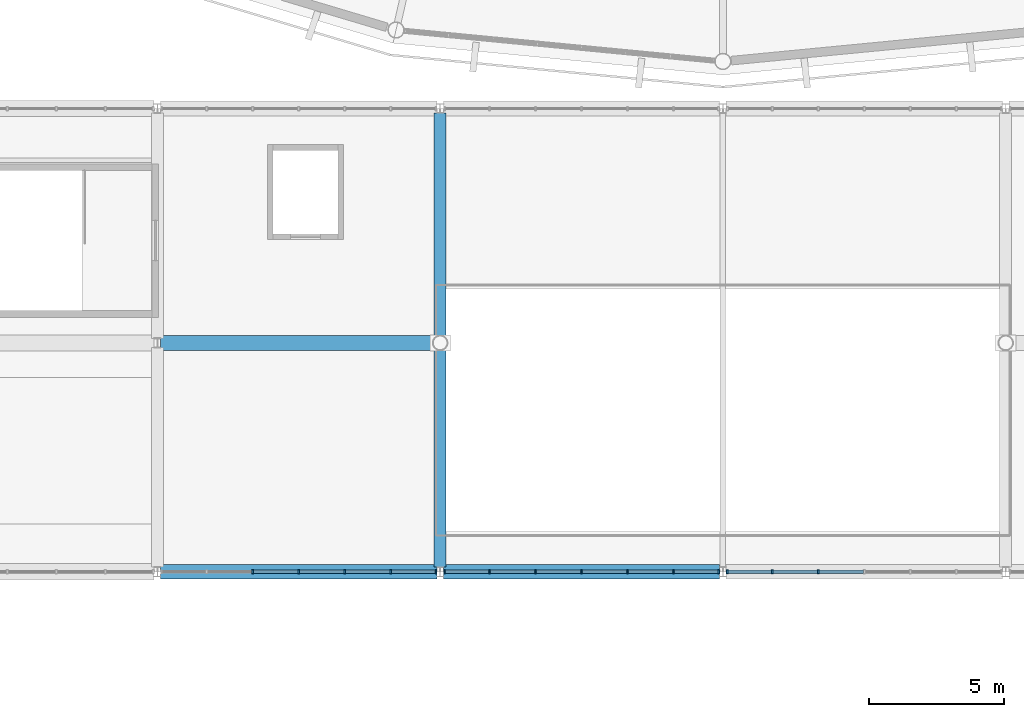
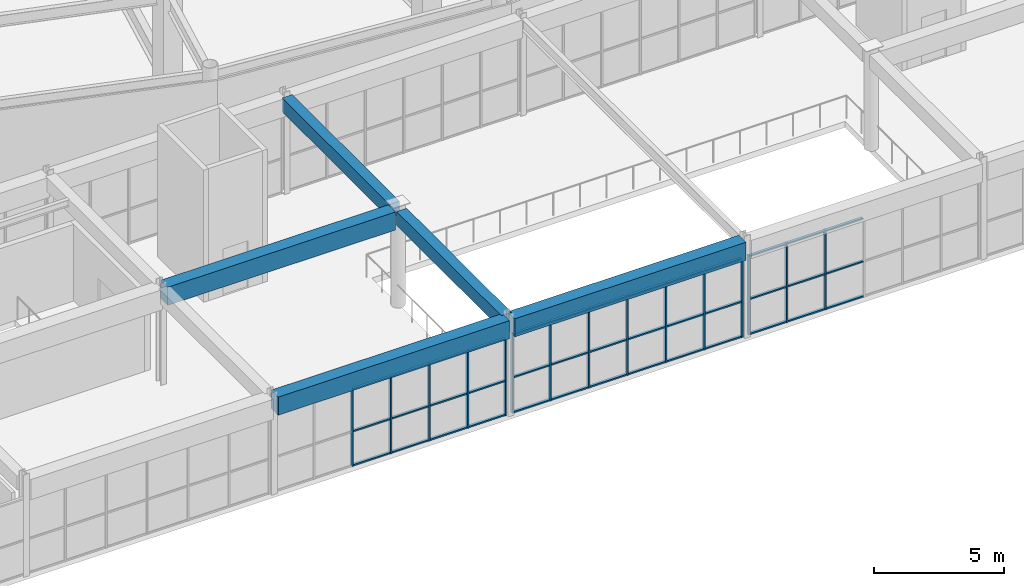
# One storey, part 30 of 122: 54 members, 5 beams, 3 elements without a shape of their own.
"""IFC4 building model written with IfcOpenShell, lengths in metres."""

from ifc_helpers import new_model, si_unit, direction, frame, origin, origin_2d, place, context, subcontext, project, spatial, rectangle, extrude, material, material_profile, profile_set, type_object, element, aggregate, save


model = new_model("IFC4")

# Units and contexts
model_context = context("Model", 3, precision=1e-05, world=origin(), true_north=direction((0.0, 1.0)))
body_context = subcontext(model_context, "Body", "Model", "MODEL_VIEW")
ifc_project = project(units=[si_unit("LENGTHUNIT", "METRE"), si_unit("AREAUNIT", "SQUARE_METRE"), si_unit("VOLUMEUNIT", "CUBIC_METRE"), si_unit("PLANEANGLEUNIT", "RADIAN"), si_unit("MASSUNIT", "GRAM", prefix="KILO")], contexts=[model_context])

# Site, building, storey
site_placement = place(None, origin())
site = spatial("IfcSite", under=ifc_project, at=site_placement, CompositionType="ELEMENT")
building_placement = place(site_placement, origin())
building = spatial("IfcBuilding", under=site, at=building_placement, Name="Cuetzalor Civic Arena", CompositionType="ELEMENT")
storey_placement = place(building_placement, frame((0.0, 0.0, 16.199951171875)))
storey = spatial("IfcBuildingStorey", under=building, at=storey_placement, Name="L03", CompositionType="ELEMENT", Elevation=16.199951171875)

# Beams
ifc_material_1 = material(Name="Concrete C40/50", Category="concrete")
ifc_material_profile_1 = material_profile(ifc_material_1, rectangle(XDim=0.550048828125, YDim=0.85009765625, at=origin_2d()), Name="RC 550x850")
ifc_profile_set_1 = profile_set([ifc_material_profile_1], Name="Concrete C40/50")
beam_type_1 = type_object("IfcBeamType", Name="ConcreteFrameBeam_550x850", PredefinedType="BEAM", material=ifc_profile_set_1)
for number, where, z_axis, x_axis, name in (
    (1, (-20.881591796875, -65.5, 4.155029296875), (1.0, 0.0, 0.0), (0.0, 1.0, 0.0), "Frame Girder V3-L03-X0855"),
    (2, (-10.381591796875, -65.5, 4.155029296875), (1.0, 0.0, 0.0), (0.0, 1.0, 0.0), "Frame Girder V3-L03-X0856"),
):
    element("IfcBeam", number, at=place(storey_placement, frame(where, z_axis=z_axis, x_axis=x_axis)), inside=storey, type_object=beam_type_1, Name=name, PredefinedType="BEAM", context=body_context, shape_type="SweptSolid", body=[
        extrude(rectangle(XDim=0.550048828125, YDim=0.85009765625, at=origin_2d()), origin(), (0.0, 0.0, 1.0), 10.26318359375),
    ])
beam_1_placement = place(storey_placement, frame((-20.881591796875, -57.0, 4.155029296875), z_axis=(1.0, 0.0, 0.0), x_axis=(0.0, 1.0, 0.0)))
element("IfcBeam", 3, at=beam_1_placement, inside=storey, type_object=beam_type_1, Name="Frame Girder V3-L03-X0861", PredefinedType="BEAM", context=body_context, shape_type="SweptSolid", body=[
    extrude(rectangle(XDim=0.550048828125, YDim=0.85009765625, at=origin_2d()), origin(), (0.0, 0.0, 1.0), 10.112060546875),
])
ifc_material_2 = material(Name="Concrete C40/50", Category="concrete")
ifc_material_profile_2 = material_profile(ifc_material_2, rectangle(XDim=0.449951171875, YDim=0.64990234375, at=origin_2d()), Name="RC 450x650")
ifc_profile_set_2 = profile_set([ifc_material_profile_2], Name="Concrete C40/50")
beam_type_2 = type_object("IfcBeamType", Name="ConcreteTieBeam_450x650", PredefinedType="BEAM", material=ifc_profile_set_2)
beam_2_placement = place(storey_placement, frame((-10.5, -65.32861328125, 4.255126953125), z_axis=(0.0, 1.0, 0.0), x_axis=(-1.0, 0.0, 0.0)))
element("IfcBeam", 4, at=beam_2_placement, inside=storey, type_object=beam_type_2, Name="Frame Girder V3-L03-Y0874", PredefinedType="BEAM", context=body_context, shape_type="SweptSolid", body=[
    extrude(rectangle(XDim=0.449951171875, YDim=0.64990234375, at=origin_2d()), origin(), (0.0, 0.0, 1.0), 8.05908203125),
])
beam_3_placement = place(storey_placement, frame((-10.5, -56.73046875, 4.255126953125), z_axis=(0.0, 1.0, 0.0), x_axis=(-1.0, 0.0, 0.0)))
element("IfcBeam", 5, at=beam_3_placement, inside=storey, type_object=beam_type_2, Name="Frame Girder V3-L03-Y0875", PredefinedType="BEAM", context=body_context, shape_type="SweptSolid", body=[
    extrude(rectangle(XDim=0.449951171875, YDim=0.64990234375, at=origin_2d()), origin(), (0.0, 0.0, 1.0), 8.259033203125),
])

# Curtain wall, members
ifc_material_3 = material(Name="Anodised dark bronze aluminium and low-E solar glass", Category="aluminium")
curtain_wall_type_1 = type_object("IfcCurtainWallType", Name="StickCW_10250x3600", PredefinedType="USERDEFINED", material=ifc_material_3)
curtain_wall_1_placement = place(storey_placement, origin())
curtain_wall_1 = element("IfcCurtainWall", 6, at=curtain_wall_1_placement, inside=storey, type_object=curtain_wall_type_1, Name="Foyer Vault Clerestory Curtain Wall L03-093", ObjectType="STICK CURTAIN WALL", PredefinedType="USERDEFINED")
ifc_material_4 = material(Name="Anodised dark bronze aluminium", Category="aluminium")
ifc_material_profile_3 = material_profile(ifc_material_4, rectangle(XDim=0.06494140625, YDim=0.14990234375, at=origin_2d()), Name="ALU MULLION 65x150")
ifc_profile_set_3 = profile_set([ifc_material_profile_3], Name="Anodised dark bronze aluminium")
member_type_1 = type_object("IfcMemberType", Name="CurtainWallMullion_60x150", PredefinedType="MULLION", material=ifc_profile_set_3)
member_1_placement = place(storey_placement, frame((-10.656982421875, -65.5, 0.0), z_axis=(0.0, 0.0, 1.0), x_axis=(-1.0, 0.0, 0.0)))
member_1 = element("IfcMember", 7, at=member_1_placement, type_object=member_type_1, Name="CW-29 mullion 1", PredefinedType="MULLION", context=body_context, shape_type="SweptSolid", body=[
    extrude(rectangle(XDim=0.06494140625, YDim=0.14990234375, at=origin_2d()), origin(), (0.0, 0.0, 1.0), 3.6201171875),
])
member_2_placement = place(storey_placement, frame((-12.3330078125, -65.5, 0.0), z_axis=(0.0, 0.0, 1.0), x_axis=(-1.0, 0.0, 0.0)))
member_2 = element("IfcMember", 8, at=member_2_placement, type_object=member_type_1, Name="CW-29 mullion 2", PredefinedType="MULLION", context=body_context, shape_type="SweptSolid", body=[
    extrude(rectangle(XDim=0.06494140625, YDim=0.14990234375, at=origin_2d()), origin(), (0.0, 0.0, 1.0), 3.6201171875),
])
member_3_placement = place(storey_placement, frame((-14.04150390625, -65.5, 0.0), z_axis=(0.0, 0.0, 1.0), x_axis=(-1.0, 0.0, 0.0)))
member_3 = element("IfcMember", 9, at=member_3_placement, type_object=member_type_1, Name="CW-29 mullion 3", PredefinedType="MULLION", context=body_context, shape_type="SweptSolid", body=[
    extrude(rectangle(XDim=0.06494140625, YDim=0.14990234375, at=origin_2d()), origin(), (0.0, 0.0, 1.0), 3.6201171875),
])
member_4_placement = place(storey_placement, frame((-15.75, -65.5, 0.0), z_axis=(0.0, 0.0, 1.0), x_axis=(-1.0, 0.0, 0.0)))
member_4 = element("IfcMember", 10, at=member_4_placement, type_object=member_type_1, Name="CW-29 mullion 4", PredefinedType="MULLION", context=body_context, shape_type="SweptSolid", body=[
    extrude(rectangle(XDim=0.06494140625, YDim=0.14990234375, at=origin_2d()), origin(), (0.0, 0.0, 1.0), 3.6201171875),
])
member_5_placement = place(storey_placement, frame((-17.45849609375, -65.5, 0.0), z_axis=(0.0, 0.0, 1.0), x_axis=(-1.0, 0.0, 0.0)))
member_5 = element("IfcMember", 11, at=member_5_placement, type_object=member_type_1, Name="CW-29 mullion 5", PredefinedType="MULLION", context=body_context, shape_type="SweptSolid", body=[
    extrude(rectangle(XDim=0.06494140625, YDim=0.14990234375, at=origin_2d()), origin(), (0.0, 0.0, 1.0), 3.6201171875),
])

ifc_material_5 = material(Name="Anodised dark bronze aluminium and low-E solar glass", Category="aluminium")
curtain_wall_type_2 = type_object("IfcCurtainWallType", Name="StickCW_10250x3700", PredefinedType="USERDEFINED", material=ifc_material_5)
curtain_wall_2_placement = place(storey_placement, origin())
curtain_wall_2 = element("IfcCurtainWall", 12, at=curtain_wall_2_placement, inside=storey, type_object=curtain_wall_type_2, Name="Foyer Vault Clerestory Curtain Wall L03-095", ObjectType="STICK CURTAIN WALL", PredefinedType="USERDEFINED")
member_6_placement = place(storey_placement, frame((-0.156982421875, -65.5, 0.0), z_axis=(0.0, 0.0, 1.0), x_axis=(-1.0, 0.0, 0.0)))
member_6 = element("IfcMember", 13, at=member_6_placement, type_object=member_type_1, Name="CW-30 mullion 1", PredefinedType="MULLION", context=body_context, shape_type="SweptSolid", body=[
    extrude(rectangle(XDim=0.06494140625, YDim=0.14990234375, at=origin_2d()), origin(), (0.0, 0.0, 1.0), 3.719970703125),
])
member_7_placement = place(storey_placement, frame((-1.8330078125, -65.5, 0.0), z_axis=(0.0, 0.0, 1.0), x_axis=(-1.0, 0.0, 0.0)))
member_7 = element("IfcMember", 14, at=member_7_placement, type_object=member_type_1, Name="CW-30 mullion 2", PredefinedType="MULLION", context=body_context, shape_type="SweptSolid", body=[
    extrude(rectangle(XDim=0.06494140625, YDim=0.14990234375, at=origin_2d()), origin(), (0.0, 0.0, 1.0), 3.719970703125),
])
member_8_placement = place(storey_placement, frame((-3.54150390625, -65.5, 0.0), z_axis=(0.0, 0.0, 1.0), x_axis=(-1.0, 0.0, 0.0)))
member_8 = element("IfcMember", 15, at=member_8_placement, type_object=member_type_1, Name="CW-30 mullion 3", PredefinedType="MULLION", context=body_context, shape_type="SweptSolid", body=[
    extrude(rectangle(XDim=0.06494140625, YDim=0.14990234375, at=origin_2d()), origin(), (0.0, 0.0, 1.0), 3.719970703125),
])
member_9_placement = place(storey_placement, frame((-5.25, -65.5, 0.0), z_axis=(0.0, 0.0, 1.0), x_axis=(-1.0, 0.0, 0.0)))
member_9 = element("IfcMember", 16, at=member_9_placement, type_object=member_type_1, Name="CW-30 mullion 4", PredefinedType="MULLION", context=body_context, shape_type="SweptSolid", body=[
    extrude(rectangle(XDim=0.06494140625, YDim=0.14990234375, at=origin_2d()), origin(), (0.0, 0.0, 1.0), 3.719970703125),
])
member_10_placement = place(storey_placement, frame((-6.95849609375, -65.5, 0.0), z_axis=(0.0, 0.0, 1.0), x_axis=(-1.0, 0.0, 0.0)))
member_10 = element("IfcMember", 17, at=member_10_placement, type_object=member_type_1, Name="CW-30 mullion 5", PredefinedType="MULLION", context=body_context, shape_type="SweptSolid", body=[
    extrude(rectangle(XDim=0.06494140625, YDim=0.14990234375, at=origin_2d()), origin(), (0.0, 0.0, 1.0), 3.719970703125),
])
member_11_placement = place(storey_placement, frame((-8.6669921875, -65.5, 0.0), z_axis=(0.0, 0.0, 1.0), x_axis=(-1.0, 0.0, 0.0)))
member_11 = element("IfcMember", 18, at=member_11_placement, type_object=member_type_1, Name="CW-30 mullion 6", PredefinedType="MULLION", context=body_context, shape_type="SweptSolid", body=[
    extrude(rectangle(XDim=0.06494140625, YDim=0.14990234375, at=origin_2d()), origin(), (0.0, 0.0, 1.0), 3.719970703125),
])
member_12_placement = place(storey_placement, frame((-10.343017578125, -65.5, 0.0), z_axis=(0.0, 0.0, 1.0), x_axis=(-1.0, 0.0, 0.0)))
member_12 = element("IfcMember", 19, at=member_12_placement, type_object=member_type_1, Name="CW-30 mullion 7", PredefinedType="MULLION", context=body_context, shape_type="SweptSolid", body=[
    extrude(rectangle(XDim=0.06494140625, YDim=0.14990234375, at=origin_2d()), origin(), (0.0, 0.0, 1.0), 3.719970703125),
])

curtain_wall_3_placement = place(storey_placement, origin())
curtain_wall_3 = element("IfcCurtainWall", 20, at=curtain_wall_3_placement, inside=storey, type_object=curtain_wall_type_2, Name="Foyer Vault Clerestory Curtain Wall L03-097", ObjectType="STICK CURTAIN WALL", PredefinedType="USERDEFINED")
member_13_placement = place(storey_placement, frame((3.54150390625, -65.5, 0.0), z_axis=(0.0, 0.0, 1.0), x_axis=(-1.0, 0.0, 0.0)))
member_13 = element("IfcMember", 21, at=member_13_placement, type_object=member_type_1, Name="CW-30 mullion 5", PredefinedType="MULLION", context=body_context, shape_type="SweptSolid", body=[
    extrude(rectangle(XDim=0.06494140625, YDim=0.14990234375, at=origin_2d()), origin(), (0.0, 0.0, 1.0), 3.719970703125),
])
member_14_placement = place(storey_placement, frame((1.8330078125, -65.5, 0.0), z_axis=(0.0, 0.0, 1.0), x_axis=(-1.0, 0.0, 0.0)))
member_14 = element("IfcMember", 22, at=member_14_placement, type_object=member_type_1, Name="CW-30 mullion 6", PredefinedType="MULLION", context=body_context, shape_type="SweptSolid", body=[
    extrude(rectangle(XDim=0.06494140625, YDim=0.14990234375, at=origin_2d()), origin(), (0.0, 0.0, 1.0), 3.719970703125),
])
member_15_placement = place(storey_placement, frame((0.156982421875, -65.5, 0.0), z_axis=(0.0, 0.0, 1.0), x_axis=(-1.0, 0.0, 0.0)))
member_15 = element("IfcMember", 23, at=member_15_placement, type_object=member_type_1, Name="CW-30 mullion 7", PredefinedType="MULLION", context=body_context, shape_type="SweptSolid", body=[
    extrude(rectangle(XDim=0.06494140625, YDim=0.14990234375, at=origin_2d()), origin(), (0.0, 0.0, 1.0), 3.719970703125),
])

# Member
ifc_material_6 = material(Name="Anodised dark bronze aluminium", Category="aluminium")
ifc_material_profile_4 = material_profile(ifc_material_6, rectangle(XDim=0.1201171875, YDim=0.06494140625, at=origin_2d()), Name="ALU TRANSOM 65x120")
ifc_profile_set_4 = profile_set([ifc_material_profile_4], Name="Anodised dark bronze aluminium")
member_type_2 = type_object("IfcMemberType", Name="CurtainWallTransom_60x120", PredefinedType="USERDEFINED", material=ifc_profile_set_4)
member_16_placement = place(storey_placement, frame((-10.689453125, -65.5, 0.032470703125), z_axis=(-1.0, 0.0, 0.0), x_axis=(0.0, -1.0, 0.0)))
member_16 = element("IfcMember", 24, at=member_16_placement, type_object=member_type_2, Name="CW-29 transom 1.1", ObjectType="TRANSOM", PredefinedType="USERDEFINED", context=body_context, shape_type="SweptSolid", body=[
    extrude(rectangle(XDim=0.1201171875, YDim=0.06494140625, at=origin_2d()), origin(), (0.0, 0.0, 1.0), 1.611083984375),
])

member_17_placement = place(storey_placement, frame((-10.689453125, -65.5, 1.629150390625), z_axis=(-1.0, 0.0, 0.0), x_axis=(0.0, -1.0, 0.0)))
member_17 = element("IfcMember", 25, at=member_17_placement, type_object=member_type_2, Name="CW-29 transom 1.2", ObjectType="TRANSOM", PredefinedType="USERDEFINED", context=body_context, shape_type="SweptSolid", body=[
    extrude(rectangle(XDim=0.1201171875, YDim=0.06494140625, at=origin_2d()), origin(), (0.0, 0.0, 1.0), 1.611083984375),
])

member_18_placement = place(storey_placement, frame((-10.689453125, -65.5, 3.587646484375), z_axis=(-1.0, 0.0, 0.0), x_axis=(0.0, -1.0, 0.0)))
member_18 = element("IfcMember", 26, at=member_18_placement, type_object=member_type_2, Name="CW-29 transom 1.3", ObjectType="TRANSOM", PredefinedType="USERDEFINED", context=body_context, shape_type="SweptSolid", body=[
    extrude(rectangle(XDim=0.1201171875, YDim=0.06494140625, at=origin_2d()), origin(), (0.0, 0.0, 1.0), 1.611083984375),
])

member_19_placement = place(storey_placement, frame((-12.365478515625, -65.5, 0.032470703125), z_axis=(-1.0, 0.0, 0.0), x_axis=(0.0, -1.0, 0.0)))
member_19 = element("IfcMember", 27, at=member_19_placement, type_object=member_type_2, Name="CW-29 transom 2.1", ObjectType="TRANSOM", PredefinedType="USERDEFINED", context=body_context, shape_type="SweptSolid", body=[
    extrude(rectangle(XDim=0.1201171875, YDim=0.06494140625, at=origin_2d()), origin(), (0.0, 0.0, 1.0), 1.6435546875),
])

member_20_placement = place(storey_placement, frame((-12.365478515625, -65.5, 1.629150390625), z_axis=(-1.0, 0.0, 0.0), x_axis=(0.0, -1.0, 0.0)))
member_20 = element("IfcMember", 28, at=member_20_placement, type_object=member_type_2, Name="CW-29 transom 2.2", ObjectType="TRANSOM", PredefinedType="USERDEFINED", context=body_context, shape_type="SweptSolid", body=[
    extrude(rectangle(XDim=0.1201171875, YDim=0.06494140625, at=origin_2d()), origin(), (0.0, 0.0, 1.0), 1.6435546875),
])

member_21_placement = place(storey_placement, frame((-12.365478515625, -65.5, 3.587646484375), z_axis=(-1.0, 0.0, 0.0), x_axis=(0.0, -1.0, 0.0)))
member_21 = element("IfcMember", 29, at=member_21_placement, type_object=member_type_2, Name="CW-29 transom 2.3", ObjectType="TRANSOM", PredefinedType="USERDEFINED", context=body_context, shape_type="SweptSolid", body=[
    extrude(rectangle(XDim=0.1201171875, YDim=0.06494140625, at=origin_2d()), origin(), (0.0, 0.0, 1.0), 1.6435546875),
])

member_22_placement = place(storey_placement, frame((-14.073974609375, -65.5, 0.032470703125), z_axis=(-1.0, 0.0, 0.0), x_axis=(0.0, -1.0, 0.0)))
member_22 = element("IfcMember", 30, at=member_22_placement, type_object=member_type_2, Name="CW-29 transom 3.1", ObjectType="TRANSOM", PredefinedType="USERDEFINED", context=body_context, shape_type="SweptSolid", body=[
    extrude(rectangle(XDim=0.1201171875, YDim=0.06494140625, at=origin_2d()), origin(), (0.0, 0.0, 1.0), 1.6435546875),
])

member_23_placement = place(storey_placement, frame((-14.073974609375, -65.5, 1.629150390625), z_axis=(-1.0, 0.0, 0.0), x_axis=(0.0, -1.0, 0.0)))
member_23 = element("IfcMember", 31, at=member_23_placement, type_object=member_type_2, Name="CW-29 transom 3.2", ObjectType="TRANSOM", PredefinedType="USERDEFINED", context=body_context, shape_type="SweptSolid", body=[
    extrude(rectangle(XDim=0.1201171875, YDim=0.06494140625, at=origin_2d()), origin(), (0.0, 0.0, 1.0), 1.6435546875),
])

member_24_placement = place(storey_placement, frame((-14.073974609375, -65.5, 3.587646484375), z_axis=(-1.0, 0.0, 0.0), x_axis=(0.0, -1.0, 0.0)))
member_24 = element("IfcMember", 32, at=member_24_placement, type_object=member_type_2, Name="CW-29 transom 3.3", ObjectType="TRANSOM", PredefinedType="USERDEFINED", context=body_context, shape_type="SweptSolid", body=[
    extrude(rectangle(XDim=0.1201171875, YDim=0.06494140625, at=origin_2d()), origin(), (0.0, 0.0, 1.0), 1.6435546875),
])

member_25_placement = place(storey_placement, frame((-15.782470703125, -65.5, 0.032470703125), z_axis=(-1.0, 0.0, 0.0), x_axis=(0.0, -1.0, 0.0)))
member_25 = element("IfcMember", 33, at=member_25_placement, type_object=member_type_2, Name="CW-29 transom 4.1", ObjectType="TRANSOM", PredefinedType="USERDEFINED", context=body_context, shape_type="SweptSolid", body=[
    extrude(rectangle(XDim=0.1201171875, YDim=0.06494140625, at=origin_2d()), origin(), (0.0, 0.0, 1.0), 1.6435546875),
])

member_26_placement = place(storey_placement, frame((-15.782470703125, -65.5, 1.629150390625), z_axis=(-1.0, 0.0, 0.0), x_axis=(0.0, -1.0, 0.0)))
member_26 = element("IfcMember", 34, at=member_26_placement, type_object=member_type_2, Name="CW-29 transom 4.2", ObjectType="TRANSOM", PredefinedType="USERDEFINED", context=body_context, shape_type="SweptSolid", body=[
    extrude(rectangle(XDim=0.1201171875, YDim=0.06494140625, at=origin_2d()), origin(), (0.0, 0.0, 1.0), 1.6435546875),
])

member_27_placement = place(storey_placement, frame((-15.782470703125, -65.5, 3.587646484375), z_axis=(-1.0, 0.0, 0.0), x_axis=(0.0, -1.0, 0.0)))
member_27 = element("IfcMember", 35, at=member_27_placement, type_object=member_type_2, Name="CW-29 transom 4.3", ObjectType="TRANSOM", PredefinedType="USERDEFINED", context=body_context, shape_type="SweptSolid", body=[
    extrude(rectangle(XDim=0.1201171875, YDim=0.06494140625, at=origin_2d()), origin(), (0.0, 0.0, 1.0), 1.6435546875),
])

aggregate(curtain_wall_1, [member_1, member_2, member_3, member_4, member_5, member_16, member_17, member_18, member_19, member_20, member_21, member_22, member_23, member_24, member_25, member_26, member_27])

member_28_placement = place(storey_placement, frame((-0.189453125, -65.5, 0.032470703125), z_axis=(-1.0, 0.0, 0.0), x_axis=(0.0, -1.0, 0.0)))
member_28 = element("IfcMember", 36, at=member_28_placement, type_object=member_type_2, Name="CW-30 transom 1.1", ObjectType="TRANSOM", PredefinedType="USERDEFINED", context=body_context, shape_type="SweptSolid", body=[
    extrude(rectangle(XDim=0.1201171875, YDim=0.06494140625, at=origin_2d()), origin(), (0.0, 0.0, 1.0), 1.611083984375),
])

member_29_placement = place(storey_placement, frame((-0.189453125, -65.5, 1.674072265625), z_axis=(-1.0, 0.0, 0.0), x_axis=(0.0, -1.0, 0.0)))
member_29 = element("IfcMember", 37, at=member_29_placement, type_object=member_type_2, Name="CW-30 transom 1.2", ObjectType="TRANSOM", PredefinedType="USERDEFINED", context=body_context, shape_type="SweptSolid", body=[
    extrude(rectangle(XDim=0.1201171875, YDim=0.06494140625, at=origin_2d()), origin(), (0.0, 0.0, 1.0), 1.611083984375),
])

member_30_placement = place(storey_placement, frame((-0.189453125, -65.5, 3.6875), z_axis=(-1.0, 0.0, 0.0), x_axis=(0.0, -1.0, 0.0)))
member_30 = element("IfcMember", 38, at=member_30_placement, type_object=member_type_2, Name="CW-30 transom 1.3", ObjectType="TRANSOM", PredefinedType="USERDEFINED", context=body_context, shape_type="SweptSolid", body=[
    extrude(rectangle(XDim=0.1201171875, YDim=0.06494140625, at=origin_2d()), origin(), (0.0, 0.0, 1.0), 1.611083984375),
])

member_31_placement = place(storey_placement, frame((-1.865478515625, -65.5, 0.032470703125), z_axis=(-1.0, 0.0, 0.0), x_axis=(0.0, -1.0, 0.0)))
member_31 = element("IfcMember", 39, at=member_31_placement, type_object=member_type_2, Name="CW-30 transom 2.1", ObjectType="TRANSOM", PredefinedType="USERDEFINED", context=body_context, shape_type="SweptSolid", body=[
    extrude(rectangle(XDim=0.1201171875, YDim=0.06494140625, at=origin_2d()), origin(), (0.0, 0.0, 1.0), 1.6435546875),
])

member_32_placement = place(storey_placement, frame((-1.865478515625, -65.5, 1.674072265625), z_axis=(-1.0, 0.0, 0.0), x_axis=(0.0, -1.0, 0.0)))
member_32 = element("IfcMember", 40, at=member_32_placement, type_object=member_type_2, Name="CW-30 transom 2.2", ObjectType="TRANSOM", PredefinedType="USERDEFINED", context=body_context, shape_type="SweptSolid", body=[
    extrude(rectangle(XDim=0.1201171875, YDim=0.06494140625, at=origin_2d()), origin(), (0.0, 0.0, 1.0), 1.6435546875),
])

member_33_placement = place(storey_placement, frame((-1.865478515625, -65.5, 3.6875), z_axis=(-1.0, 0.0, 0.0), x_axis=(0.0, -1.0, 0.0)))
member_33 = element("IfcMember", 41, at=member_33_placement, type_object=member_type_2, Name="CW-30 transom 2.3", ObjectType="TRANSOM", PredefinedType="USERDEFINED", context=body_context, shape_type="SweptSolid", body=[
    extrude(rectangle(XDim=0.1201171875, YDim=0.06494140625, at=origin_2d()), origin(), (0.0, 0.0, 1.0), 1.6435546875),
])

member_34_placement = place(storey_placement, frame((-3.573974609375, -65.5, 0.032470703125), z_axis=(-1.0, 0.0, 0.0), x_axis=(0.0, -1.0, 0.0)))
member_34 = element("IfcMember", 42, at=member_34_placement, type_object=member_type_2, Name="CW-30 transom 3.1", ObjectType="TRANSOM", PredefinedType="USERDEFINED", context=body_context, shape_type="SweptSolid", body=[
    extrude(rectangle(XDim=0.1201171875, YDim=0.06494140625, at=origin_2d()), origin(), (0.0, 0.0, 1.0), 1.6435546875),
])

member_35_placement = place(storey_placement, frame((-3.573974609375, -65.5, 1.674072265625), z_axis=(-1.0, 0.0, 0.0), x_axis=(0.0, -1.0, 0.0)))
member_35 = element("IfcMember", 43, at=member_35_placement, type_object=member_type_2, Name="CW-30 transom 3.2", ObjectType="TRANSOM", PredefinedType="USERDEFINED", context=body_context, shape_type="SweptSolid", body=[
    extrude(rectangle(XDim=0.1201171875, YDim=0.06494140625, at=origin_2d()), origin(), (0.0, 0.0, 1.0), 1.6435546875),
])

member_36_placement = place(storey_placement, frame((-3.573974609375, -65.5, 3.6875), z_axis=(-1.0, 0.0, 0.0), x_axis=(0.0, -1.0, 0.0)))
member_36 = element("IfcMember", 44, at=member_36_placement, type_object=member_type_2, Name="CW-30 transom 3.3", ObjectType="TRANSOM", PredefinedType="USERDEFINED", context=body_context, shape_type="SweptSolid", body=[
    extrude(rectangle(XDim=0.1201171875, YDim=0.06494140625, at=origin_2d()), origin(), (0.0, 0.0, 1.0), 1.6435546875),
])

member_37_placement = place(storey_placement, frame((-5.282470703125, -65.5, 0.032470703125), z_axis=(-1.0, 0.0, 0.0), x_axis=(0.0, -1.0, 0.0)))
member_37 = element("IfcMember", 45, at=member_37_placement, type_object=member_type_2, Name="CW-30 transom 4.1", ObjectType="TRANSOM", PredefinedType="USERDEFINED", context=body_context, shape_type="SweptSolid", body=[
    extrude(rectangle(XDim=0.1201171875, YDim=0.06494140625, at=origin_2d()), origin(), (0.0, 0.0, 1.0), 1.6435546875),
])

member_38_placement = place(storey_placement, frame((-5.282470703125, -65.5, 1.674072265625), z_axis=(-1.0, 0.0, 0.0), x_axis=(0.0, -1.0, 0.0)))
member_38 = element("IfcMember", 46, at=member_38_placement, type_object=member_type_2, Name="CW-30 transom 4.2", ObjectType="TRANSOM", PredefinedType="USERDEFINED", context=body_context, shape_type="SweptSolid", body=[
    extrude(rectangle(XDim=0.1201171875, YDim=0.06494140625, at=origin_2d()), origin(), (0.0, 0.0, 1.0), 1.6435546875),
])

member_39_placement = place(storey_placement, frame((-5.282470703125, -65.5, 3.6875), z_axis=(-1.0, 0.0, 0.0), x_axis=(0.0, -1.0, 0.0)))
member_39 = element("IfcMember", 47, at=member_39_placement, type_object=member_type_2, Name="CW-30 transom 4.3", ObjectType="TRANSOM", PredefinedType="USERDEFINED", context=body_context, shape_type="SweptSolid", body=[
    extrude(rectangle(XDim=0.1201171875, YDim=0.06494140625, at=origin_2d()), origin(), (0.0, 0.0, 1.0), 1.6435546875),
])

member_40_placement = place(storey_placement, frame((-6.990966796875, -65.5, 0.032470703125), z_axis=(-1.0, 0.0, 0.0), x_axis=(0.0, -1.0, 0.0)))
member_40 = element("IfcMember", 48, at=member_40_placement, type_object=member_type_2, Name="CW-30 transom 5.1", ObjectType="TRANSOM", PredefinedType="USERDEFINED", context=body_context, shape_type="SweptSolid", body=[
    extrude(rectangle(XDim=0.1201171875, YDim=0.06494140625, at=origin_2d()), origin(), (0.0, 0.0, 1.0), 1.6435546875),
])

member_41_placement = place(storey_placement, frame((-6.990966796875, -65.5, 1.674072265625), z_axis=(-1.0, 0.0, 0.0), x_axis=(0.0, -1.0, 0.0)))
member_41 = element("IfcMember", 49, at=member_41_placement, type_object=member_type_2, Name="CW-30 transom 5.2", ObjectType="TRANSOM", PredefinedType="USERDEFINED", context=body_context, shape_type="SweptSolid", body=[
    extrude(rectangle(XDim=0.1201171875, YDim=0.06494140625, at=origin_2d()), origin(), (0.0, 0.0, 1.0), 1.6435546875),
])

member_42_placement = place(storey_placement, frame((-6.990966796875, -65.5, 3.6875), z_axis=(-1.0, 0.0, 0.0), x_axis=(0.0, -1.0, 0.0)))
member_42 = element("IfcMember", 50, at=member_42_placement, type_object=member_type_2, Name="CW-30 transom 5.3", ObjectType="TRANSOM", PredefinedType="USERDEFINED", context=body_context, shape_type="SweptSolid", body=[
    extrude(rectangle(XDim=0.1201171875, YDim=0.06494140625, at=origin_2d()), origin(), (0.0, 0.0, 1.0), 1.6435546875),
])

member_43_placement = place(storey_placement, frame((-8.699462890625, -65.5, 0.032470703125), z_axis=(-1.0, 0.0, 0.0), x_axis=(0.0, -1.0, 0.0)))
member_43 = element("IfcMember", 51, at=member_43_placement, type_object=member_type_2, Name="CW-30 transom 6.1", ObjectType="TRANSOM", PredefinedType="USERDEFINED", context=body_context, shape_type="SweptSolid", body=[
    extrude(rectangle(XDim=0.1201171875, YDim=0.06494140625, at=origin_2d()), origin(), (0.0, 0.0, 1.0), 1.611083984375),
])

member_44_placement = place(storey_placement, frame((-8.699462890625, -65.5, 1.674072265625), z_axis=(-1.0, 0.0, 0.0), x_axis=(0.0, -1.0, 0.0)))
member_44 = element("IfcMember", 52, at=member_44_placement, type_object=member_type_2, Name="CW-30 transom 6.2", ObjectType="TRANSOM", PredefinedType="USERDEFINED", context=body_context, shape_type="SweptSolid", body=[
    extrude(rectangle(XDim=0.1201171875, YDim=0.06494140625, at=origin_2d()), origin(), (0.0, 0.0, 1.0), 1.611083984375),
])

member_45_placement = place(storey_placement, frame((-8.699462890625, -65.5, 3.6875), z_axis=(-1.0, 0.0, 0.0), x_axis=(0.0, -1.0, 0.0)))
member_45 = element("IfcMember", 53, at=member_45_placement, type_object=member_type_2, Name="CW-30 transom 6.3", ObjectType="TRANSOM", PredefinedType="USERDEFINED", context=body_context, shape_type="SweptSolid", body=[
    extrude(rectangle(XDim=0.1201171875, YDim=0.06494140625, at=origin_2d()), origin(), (0.0, 0.0, 1.0), 1.611083984375),
])

aggregate(curtain_wall_2, [member_6, member_7, member_8, member_9, member_10, member_11, member_12, member_28, member_29, member_30, member_31, member_32, member_33, member_34, member_35, member_36, member_37, member_38, member_39, member_40, member_41, member_42, member_43, member_44, member_45])

member_46_placement = place(storey_placement, frame((5.217529296875, -65.5, 0.032470703125), z_axis=(-1.0, 0.0, 0.0), x_axis=(0.0, -1.0, 0.0)))
member_46 = element("IfcMember", 54, at=member_46_placement, type_object=member_type_2, Name="CW-30 transom 4.1", ObjectType="TRANSOM", PredefinedType="USERDEFINED", context=body_context, shape_type="SweptSolid", body=[
    extrude(rectangle(XDim=0.1201171875, YDim=0.06494140625, at=origin_2d()), origin(), (0.0, 0.0, 1.0), 1.6435546875),
])

member_47_placement = place(storey_placement, frame((5.217529296875, -65.5, 1.674072265625), z_axis=(-1.0, 0.0, 0.0), x_axis=(0.0, -1.0, 0.0)))
member_47 = element("IfcMember", 55, at=member_47_placement, type_object=member_type_2, Name="CW-30 transom 4.2", ObjectType="TRANSOM", PredefinedType="USERDEFINED", context=body_context, shape_type="SweptSolid", body=[
    extrude(rectangle(XDim=0.1201171875, YDim=0.06494140625, at=origin_2d()), origin(), (0.0, 0.0, 1.0), 1.6435546875),
])

member_48_placement = place(storey_placement, frame((5.217529296875, -65.5, 3.6875), z_axis=(-1.0, 0.0, 0.0), x_axis=(0.0, -1.0, 0.0)))
member_48 = element("IfcMember", 56, at=member_48_placement, type_object=member_type_2, Name="CW-30 transom 4.3", ObjectType="TRANSOM", PredefinedType="USERDEFINED", context=body_context, shape_type="SweptSolid", body=[
    extrude(rectangle(XDim=0.1201171875, YDim=0.06494140625, at=origin_2d()), origin(), (0.0, 0.0, 1.0), 1.6435546875),
])

member_49_placement = place(storey_placement, frame((3.509033203125, -65.5, 0.032470703125), z_axis=(-1.0, 0.0, 0.0), x_axis=(0.0, -1.0, 0.0)))
member_49 = element("IfcMember", 57, at=member_49_placement, type_object=member_type_2, Name="CW-30 transom 5.1", ObjectType="TRANSOM", PredefinedType="USERDEFINED", context=body_context, shape_type="SweptSolid", body=[
    extrude(rectangle(XDim=0.1201171875, YDim=0.06494140625, at=origin_2d()), origin(), (0.0, 0.0, 1.0), 1.6435546875),
])

member_50_placement = place(storey_placement, frame((3.509033203125, -65.5, 1.674072265625), z_axis=(-1.0, 0.0, 0.0), x_axis=(0.0, -1.0, 0.0)))
member_50 = element("IfcMember", 58, at=member_50_placement, type_object=member_type_2, Name="CW-30 transom 5.2", ObjectType="TRANSOM", PredefinedType="USERDEFINED", context=body_context, shape_type="SweptSolid", body=[
    extrude(rectangle(XDim=0.1201171875, YDim=0.06494140625, at=origin_2d()), origin(), (0.0, 0.0, 1.0), 1.6435546875),
])

member_51_placement = place(storey_placement, frame((3.509033203125, -65.5, 3.6875), z_axis=(-1.0, 0.0, 0.0), x_axis=(0.0, -1.0, 0.0)))
member_51 = element("IfcMember", 59, at=member_51_placement, type_object=member_type_2, Name="CW-30 transom 5.3", ObjectType="TRANSOM", PredefinedType="USERDEFINED", context=body_context, shape_type="SweptSolid", body=[
    extrude(rectangle(XDim=0.1201171875, YDim=0.06494140625, at=origin_2d()), origin(), (0.0, 0.0, 1.0), 1.6435546875),
])

member_52_placement = place(storey_placement, frame((1.800537109375, -65.5, 0.032470703125), z_axis=(-1.0, 0.0, 0.0), x_axis=(0.0, -1.0, 0.0)))
member_52 = element("IfcMember", 60, at=member_52_placement, type_object=member_type_2, Name="CW-30 transom 6.1", ObjectType="TRANSOM", PredefinedType="USERDEFINED", context=body_context, shape_type="SweptSolid", body=[
    extrude(rectangle(XDim=0.1201171875, YDim=0.06494140625, at=origin_2d()), origin(), (0.0, 0.0, 1.0), 1.611083984375),
])

member_53_placement = place(storey_placement, frame((1.800537109375, -65.5, 1.674072265625), z_axis=(-1.0, 0.0, 0.0), x_axis=(0.0, -1.0, 0.0)))
member_53 = element("IfcMember", 61, at=member_53_placement, type_object=member_type_2, Name="CW-30 transom 6.2", ObjectType="TRANSOM", PredefinedType="USERDEFINED", context=body_context, shape_type="SweptSolid", body=[
    extrude(rectangle(XDim=0.1201171875, YDim=0.06494140625, at=origin_2d()), origin(), (0.0, 0.0, 1.0), 1.611083984375),
])

member_54_placement = place(storey_placement, frame((1.800537109375, -65.5, 3.6875), z_axis=(-1.0, 0.0, 0.0), x_axis=(0.0, -1.0, 0.0)))
member_54 = element("IfcMember", 62, at=member_54_placement, type_object=member_type_2, Name="CW-30 transom 6.3", ObjectType="TRANSOM", PredefinedType="USERDEFINED", context=body_context, shape_type="SweptSolid", body=[
    extrude(rectangle(XDim=0.1201171875, YDim=0.06494140625, at=origin_2d()), origin(), (0.0, 0.0, 1.0), 1.611083984375),
])

aggregate(curtain_wall_3, [member_13, member_14, member_15, member_46, member_47, member_48, member_49, member_50, member_51, member_52, member_53, member_54])

save(model, "model.ifc")
